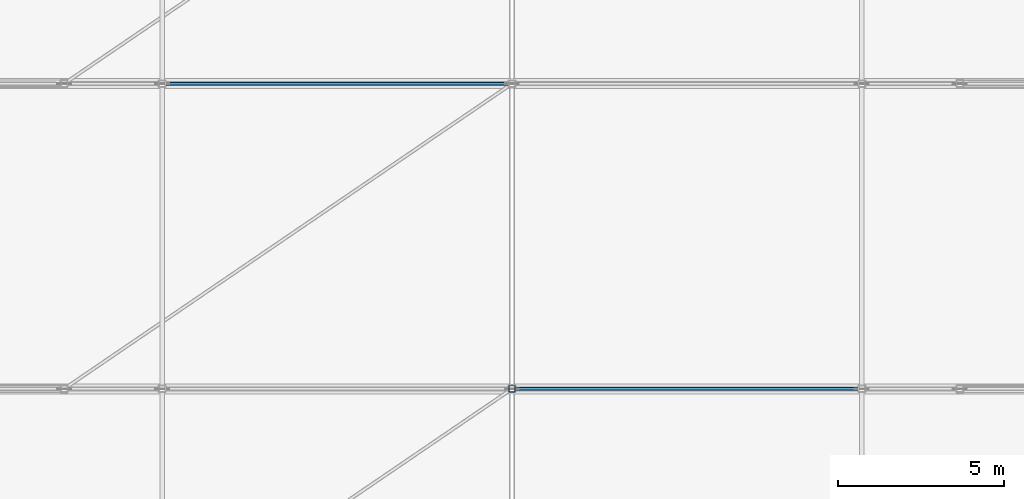
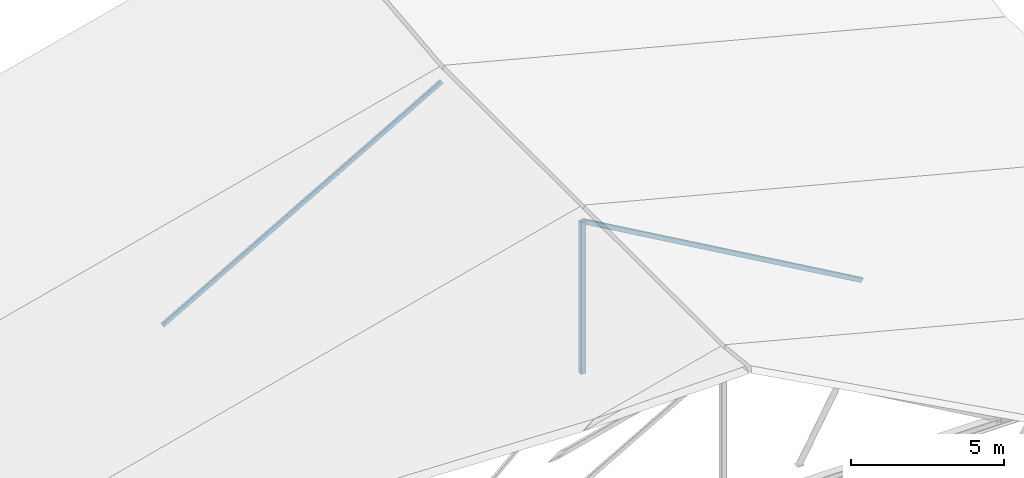
# One storey, part 17 of 56: 3 members.
"""IFC4 building model written with IfcOpenShell, lengths in metres."""

from ifc_helpers import new_model, si_unit, direction, frame, origin, origin_2d, place, context, subcontext, project, spatial, hollow_rectangle, extrude, material, material_profile, profile_set, type_object, element, save


model = new_model("IFC4")

# Units and contexts
model_context = context("Model", 3, precision=1e-05, world=origin(), true_north=direction((0.0, 1.0)))
body_context = subcontext(model_context, "Body", "Model", "MODEL_VIEW")
ifc_project = project(units=[si_unit("LENGTHUNIT", "METRE"), si_unit("AREAUNIT", "SQUARE_METRE"), si_unit("VOLUMEUNIT", "CUBIC_METRE"), si_unit("PLANEANGLEUNIT", "RADIAN"), si_unit("MASSUNIT", "GRAM", prefix="KILO")], contexts=[model_context])

# Site, building, storey
site_placement = place(None, origin())
site = spatial("IfcSite", under=ifc_project, at=site_placement, CompositionType="ELEMENT")
building_placement = place(site_placement, origin())
building = spatial("IfcBuilding", under=site, at=building_placement, Name="Bozkorgan Art Gallery", CompositionType="ELEMENT")
storey_placement = place(building_placement, frame((0.0, 0.0, 24.0)))
storey = spatial("IfcBuildingStorey", under=building, at=storey_placement, Name="L05", CompositionType="ELEMENT", Elevation=24.0)

# Members
ifc_material = material(Name="Steel S355J2", Category="steel")
ifc_material_profile_1 = material_profile(ifc_material, hollow_rectangle(XDim=0.199951171875, YDim=0.199951171875, WallThickness=0.010009765625, InnerFilletRadius=0.014892578125, OuterFilletRadius=0.02490234375, at=origin_2d()), Name="SHS 200x200x10")
ifc_profile_set_1 = profile_set([ifc_material_profile_1], Name="Steel S355J2")
member_type_1 = type_object("IfcMemberType", Name="MEMBER-TP-32", PredefinedType="POST", material=ifc_profile_set_1)
member_placement = place(storey_placement, frame((87.5, 66.0, 0.179931640625), z_axis=(0.0, 0.0, 1.0), x_axis=(1.0, 0.0, 0.0)))
element("IfcMember", 1, at=member_placement, inside=storey, type_object=member_type_1, Name="ROOF-V4-MAIN roof truss 3 post 3", PredefinedType="POST", context=body_context, shape_type="SweptSolid", body=[
    extrude(hollow_rectangle(XDim=0.199951171875, YDim=0.199951171875, WallThickness=0.010009765625, InnerFilletRadius=0.014892578125, OuterFilletRadius=0.02490234375, at=origin_2d()), origin(), (0.0, 0.0, 1.0), 6.049560546875),
])
ifc_material_profile_2 = material_profile(ifc_material, hollow_rectangle(XDim=0.10009765625, YDim=0.179931640625, WallThickness=0.008056640625, InnerFilletRadius=0.011962890625, OuterFilletRadius=0.02001953125, at=origin_2d()), Name="RHS 180x100x8")
ifc_profile_set_2 = profile_set([ifc_material_profile_2], Name="Steel S355J2")
member_type_2 = type_object("IfcMemberType", Name="MEMBER-TW-22", PredefinedType="BRACE", material=ifc_profile_set_2)
for number, where, z_axis, x_axis, name in (
    (2, (87.5, 66.0, 6.2294921875), (0.867499704855, 0.0, -0.497437696679), (0.0, 1.0, 0.0), "ROOF-V4-MAIN roof truss 3 diagonal 4"),
    (3, (76.949951171875, 75.199951171875, 0.179931640625), (0.867499704855, 0.0, 0.497437696679), (0.0, 1.0, 0.0), "ROOF-V4-MAIN roof truss 4 diagonal 3"),
):
    element("IfcMember", number, at=place(storey_placement, frame(where, z_axis=z_axis, x_axis=x_axis)), inside=storey, type_object=member_type_2, Name=name, PredefinedType="BRACE", context=body_context, shape_type="SweptSolid", body=[
        extrude(hollow_rectangle(XDim=0.10009765625, YDim=0.179931640625, WallThickness=0.008056640625, InnerFilletRadius=0.011962890625, OuterFilletRadius=0.02001953125, at=origin_2d()), origin(), (0.0, 0.0, 1.0), 12.161376953125),
    ])

save(model, "model.ifc")
